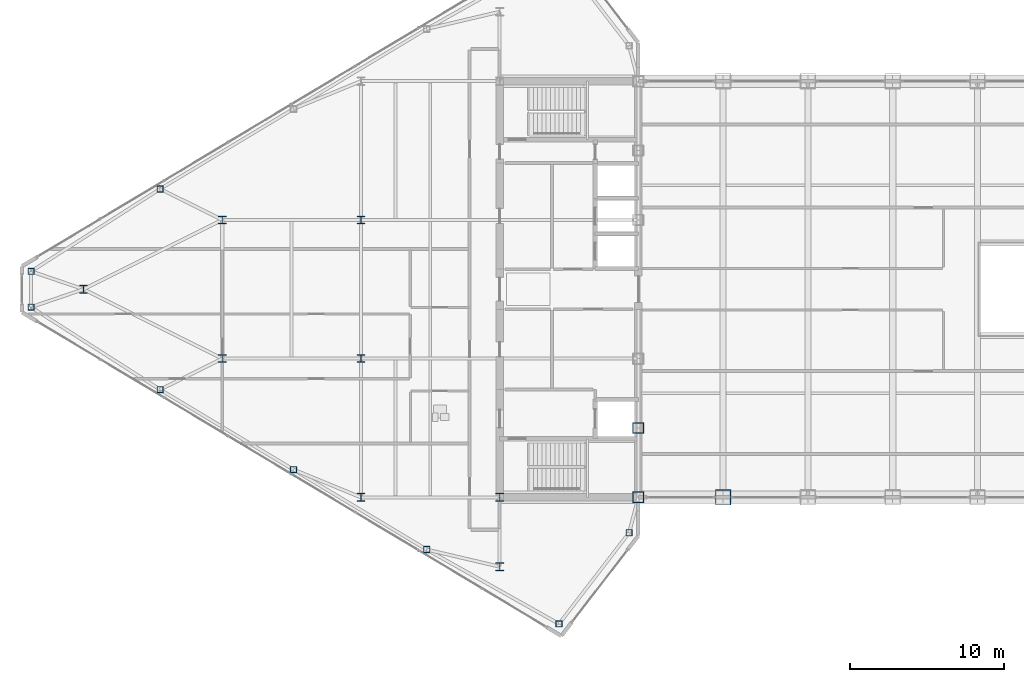
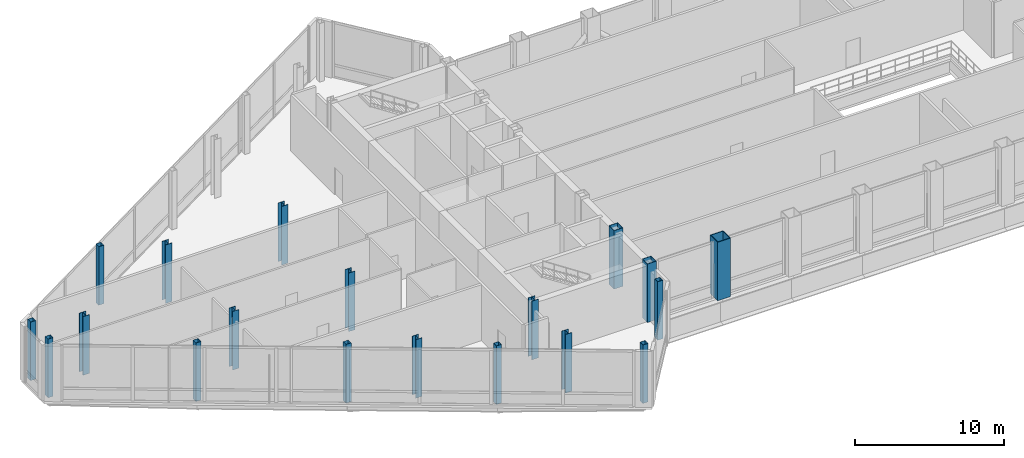
# One storey, part 1 of 30: 19 columns.
"""IFC4 building model written with IfcOpenShell, lengths in metres."""

from ifc_helpers import new_model, si_unit, direction, frame, origin, origin_2d, place, context, subcontext, project, spatial, hollow_rectangle, i_section, extrude, source, transform, mapped, material, material_profile, profile_set, type_object, type_shapes, element, save


model = new_model("IFC4")

# Units and contexts
model_context = context("Model", 3, precision=1e-05, world=origin(), true_north=direction((0.0, 1.0)))
body_context = subcontext(model_context, "Body", "Model", "MODEL_VIEW")
ifc_project = project(units=[si_unit("LENGTHUNIT", "METRE"), si_unit("AREAUNIT", "SQUARE_METRE"), si_unit("VOLUMEUNIT", "CUBIC_METRE"), si_unit("PLANEANGLEUNIT", "RADIAN"), si_unit("MASSUNIT", "GRAM", prefix="KILO")], contexts=[model_context])

# Site, building, storey
site_placement = place(None, origin())
site = spatial("IfcSite", under=ifc_project, at=site_placement, CompositionType="ELEMENT")
building_placement = place(site_placement, origin())
building = spatial("IfcBuilding", under=site, at=building_placement, Name="Seokmaru Belvedere", CompositionType="ELEMENT")
storey_placement = place(building_placement, frame((0.0, 0.0, 234.60009765625)))
storey = spatial("IfcBuildingStorey", under=building, at=storey_placement, Name="L62", CompositionType="ELEMENT", Elevation=234.60009765625)

# Columns
ifc_material_1 = material(Name="Steel HSA650 (650 MPa)", Category="steel")
ifc_material_profile_1 = material_profile(ifc_material_1, hollow_rectangle(XDim=1.0, YDim=1.0, WallThickness=0.0419921875, at=origin_2d()), Name="BOX-1000x1000x42")
ifc_profile_set_1 = profile_set([ifc_material_profile_1], Name="Steel HSA650 (650 MPa)")
column_type_1 = type_object("IfcColumnType", Name="Portal Spine Column BOX-1000", PredefinedType="COLUMN", material=ifc_profile_set_1)
shared_shape_1 = source(origin(), body_context, "Body", "SweptSolid", [
    extrude(hollow_rectangle(XDim=1.0, YDim=1.0, WallThickness=0.0419921875, at=origin_2d()), origin(), (0.0, 0.0, 1.0), 4.7998046875),
])
type_shapes(column_type_1, [shared_shape_1])
column_placement = place(storey_placement, frame((-22.0, -13.5, 0.0), z_axis=(0.0, 0.0, 1.0), x_axis=(1.0, 0.0, 0.0)))
element("IfcColumn", 1, at=column_placement, inside=storey, type_object=column_type_1, Name="L62 Column BRS_1", PredefinedType="COLUMN", context=body_context, shape_type="MappedRepresentation", body=[
    mapped(shared_shape_1, transform((0.0, 0.0, 0.0), scale=1.0)),
])
ifc_material_2 = material(Name="Steel SM355 (355 MPa)", Category="steel")
ifc_material_profile_2 = material_profile(ifc_material_2, hollow_rectangle(XDim=0.699951171875, YDim=0.699951171875, WallThickness=0.030029296875, at=origin_2d()), Name="BOX-700x700x30")
ifc_profile_set_2 = profile_set([ifc_material_profile_2], Name="Steel SM355 (355 MPa)")
column_type_2 = type_object("IfcColumnType", Name="Upper Spine Column BOX-700", PredefinedType="COLUMN", material=ifc_profile_set_2)
shared_shape_2 = source(origin(), body_context, "Body", "SweptSolid", [
    extrude(hollow_rectangle(XDim=0.699951171875, YDim=0.699951171875, WallThickness=0.030029296875, at=origin_2d()), origin(), (0.0, 0.0, 1.0), 4.7998046875),
])
type_shapes(column_type_2, [shared_shape_2])
for number, where, z_axis, x_axis, name in (
    (2, (-27.5, -13.5, 0.0), (0.0, 0.0, 1.0), (1.0, 0.0, 0.0), "L62 Column WS1"),
    (3, (-27.5, -9.0, 0.0), (0.0, 0.0, 1.0), (1.0, 0.0, 0.0), "L62 Column WS2"),
):
    element("IfcColumn", number, at=place(storey_placement, frame(where, z_axis=z_axis, x_axis=x_axis)), inside=storey, type_object=column_type_2, Name=name, PredefinedType="COLUMN", context=body_context, shape_type="MappedRepresentation", body=[
        mapped(shared_shape_2, transform((0.0, 0.0, 0.0), scale=1.0)),
    ])
ifc_material_profile_3 = material_profile(ifc_material_2, i_section(OverallWidth=0.5, OverallDepth=0.5, WebThickness=0.02001953125, FlangeThickness=0.031982421875, at=origin_2d()), Name="H-500x500x20x32")
ifc_profile_set_3 = profile_set([ifc_material_profile_3], Name="Steel SM355 (355 MPa)")
column_type_3 = type_object("IfcColumnType", Name="High-Rise Interior Column H-500", PredefinedType="COLUMN", material=ifc_profile_set_3)
shared_shape_3 = source(origin(), body_context, "Body", "SweptSolid", [
    extrude(i_section(OverallWidth=0.5, OverallDepth=0.5, WebThickness=0.02001953125, FlangeThickness=0.031982421875, at=origin_2d()), origin(), (0.0, 0.0, 1.0), 4.7998046875),
])
type_shapes(column_type_3, [shared_shape_3])
for number, where, z_axis, x_axis, name in (
    (4, (-36.5, -18.0, 0.0), (0.0, 0.0, 1.0), (1.0, 0.0, 0.0), "L62 Column WC1"),
    (5, (-36.5, -13.5, 0.0), (0.0, 0.0, 1.0), (1.0, 0.0, 0.0), "L62 Column WC2"),
    (6, (-45.5, -13.5, 0.0), (0.0, 0.0, 1.0), (1.0, 0.0, 0.0), "L62 Column WG5_1"),
    (7, (-45.5, -4.5, 0.0), (0.0, 0.0, 1.0), (1.0, 0.0, 0.0), "L62 Column WG5_2"),
    (8, (-45.5, 4.5, 0.0), (0.0, 0.0, 1.0), (1.0, 0.0, 0.0), "L62 Column WG5_3"),
    (9, (-54.5, -4.5, 0.0), (0.0, 0.0, 1.0), (1.0, 0.0, 0.0), "L62 Column WG4P_1"),
    (10, (-54.5, 4.5, 0.0), (0.0, 0.0, 1.0), (1.0, 0.0, 0.0), "L62 Column WG4P_2"),
    (11, (-63.5, 0.0, 0.0), (0.0, 0.0, 1.0), (1.0, 0.0, 0.0), "L62 Column WG3P_1"),
):
    element("IfcColumn", number, at=place(storey_placement, frame(where, z_axis=z_axis, x_axis=x_axis)), inside=storey, type_object=column_type_3, Name=name, PredefinedType="COLUMN", context=body_context, shape_type="MappedRepresentation", body=[
        mapped(shared_shape_3, transform((0.0, 0.0, 0.0), scale=1.0)),
    ])
ifc_material_profile_4 = material_profile(ifc_material_2, hollow_rectangle(XDim=0.39990234375, YDim=0.39990234375, WallThickness=0.01611328125, at=origin_2d()), Name="HSS-400x400x16")
ifc_profile_set_4 = profile_set([ifc_material_profile_4], Name="Steel SM355 (355 MPa)")
column_type_4 = type_object("IfcColumnType", Name="Perimeter Facet Column HSS-400", PredefinedType="COLUMN", material=ifc_profile_set_4)
shared_shape_4 = source(origin(), body_context, "Body", "SweptSolid", [
    extrude(hollow_rectangle(XDim=0.39990234375, YDim=0.39990234375, WallThickness=0.01611328125, at=origin_2d()), origin(), (0.0, 0.0, 1.0), 4.7998046875),
])
type_shapes(column_type_4, [shared_shape_4])
for number, where, z_axis, x_axis, name in (
    (12, (-28.10009765625, -15.7958984375, 0.0), (0.0, 0.0, 1.0), (1.0, 0.0, 0.0), "L62 Column WF1"),
    (13, (-66.89990234375, 1.160400390625, 0.0), (0.0, 0.0, 1.0), (1.0, 0.0, 0.0), "L62 Column WF4"),
    (14, (-66.89990234375, -1.160400390625, 0.0), (0.0, 0.0, 1.0), (1.0, 0.0, 0.0), "L62 Column WF5"),
    (15, (-32.649658203125, -21.71044921875, 0.0), (0.0, 0.0, 1.0), (1.0, 0.0, 0.0), "L62 Column WF6"),
    (16, (-41.229736328125, -16.888916015625, 0.0), (0.0, 0.0, 1.0), (1.0, 0.0, 0.0), "L62 Column WFLK_S1"),
    (17, (-49.8798828125, -11.698974609375, 0.0), (0.0, 0.0, 1.0), (1.0, 0.0, 0.0), "L62 Column WFLK_S2"),
    (18, (-58.530029296875, -6.5087890625, 0.0), (0.0, 0.0, 1.0), (1.0, 0.0, 0.0), "L62 Column WFLK_S3"),
    (19, (-58.530029296875, 6.5087890625, 0.0), (0.0, 0.0, 1.0), (1.0, 0.0, 0.0), "L62 Column WFLK_N3"),
):
    element("IfcColumn", number, at=place(storey_placement, frame(where, z_axis=z_axis, x_axis=x_axis)), inside=storey, type_object=column_type_4, Name=name, PredefinedType="COLUMN", context=body_context, shape_type="MappedRepresentation", body=[
        mapped(shared_shape_4, transform((0.0, 0.0, 0.0), scale=1.0)),
    ])

save(model, "model.ifc")
